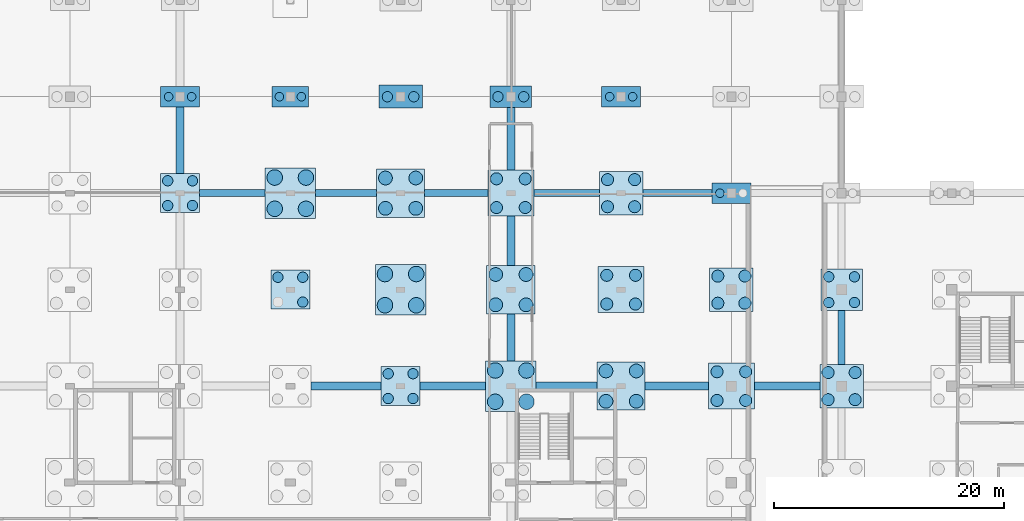
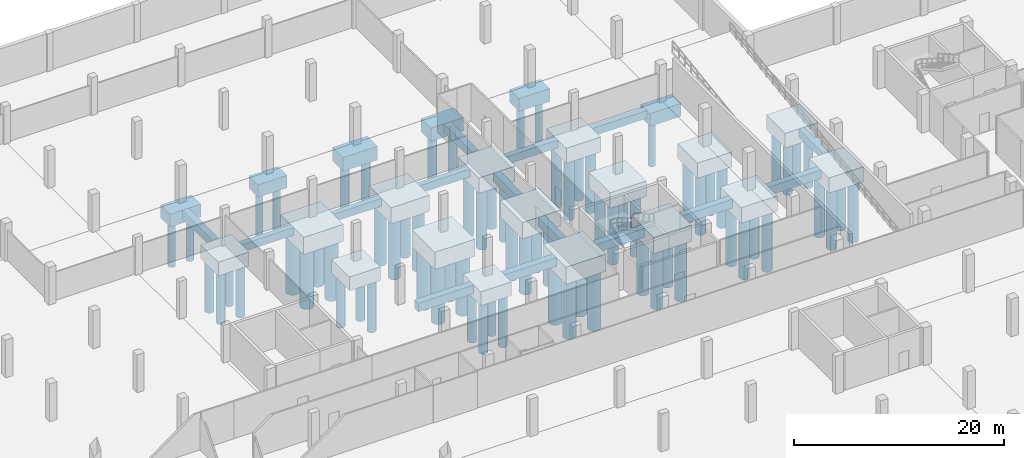
# One storey, part 7 of 26: 74 piles, 37 footings.
"""IFC4 building model written with IfcOpenShell, lengths in metres."""

from ifc_helpers import new_model, si_unit, direction, frame, origin, origin_2d, place, context, subcontext, project, spatial, rectangle, circle, extrude, material, layer, layer_set, material_profile, profile_set, type_object, element, save


model = new_model("IFC4")

# Units and contexts
model_context = context("Model", 3, precision=1e-05, world=origin(), true_north=direction((0.0, 1.0)))
body_context = subcontext(model_context, "Body", "Model", "MODEL_VIEW")
ifc_project = project(units=[si_unit("LENGTHUNIT", "METRE"), si_unit("AREAUNIT", "SQUARE_METRE"), si_unit("VOLUMEUNIT", "CUBIC_METRE"), si_unit("PLANEANGLEUNIT", "RADIAN"), si_unit("MASSUNIT", "GRAM", prefix="KILO")], contexts=[model_context])

# Site, building, storey
site_placement = place(None, origin())
site = spatial("IfcSite", under=ifc_project, at=site_placement, CompositionType="ELEMENT")
building_placement = place(site_placement, origin())
building = spatial("IfcBuilding", under=site, at=building_placement, Name="Lornevale Opera House", CompositionType="ELEMENT")
storey_placement = place(building_placement, frame((0.0, 0.0, -9.60009765625)))
storey = spatial("IfcBuildingStorey", under=building, at=storey_placement, Name="B2", CompositionType="ELEMENT", Elevation=-9.60009765625)

# Footings
ifc_material_1 = material(Name="Concrete 35 MPa (CSA A23.1 N)", Category="concrete")
ifc_layer_1 = layer(ifc_material_1, 1.60009765625)
ifc_layer_set_1 = layer_set([ifc_layer_1], Name="Concrete 35 MPa (CSA A23.1 N)")
footing_type_1 = type_object("IfcFootingType", Name="Four-Caisson Cap 3400x3400x1600", PredefinedType="PILE_CAP", material=ifc_layer_set_1)
for number, where, z_axis, x_axis, name in (
    (1, (67.199951171875, 84.0, -2.06005859375), (0.0, 0.0, 1.0), (1.0, 0.0, 0.0), "Four-Caisson Cap 3400x3400x1600 FT-108"),
    (2, (76.800048828125, 75.60009765625, -2.06005859375), (0.0, 0.0, 1.0), (1.0, 0.0, 0.0), "Four-Caisson Cap 3400x3400x1600 FT-122"),
    (3, (86.39990234375, 67.199951171875, -2.06005859375), (0.0, 0.0, 1.0), (1.0, 0.0, 0.0), "Four-Caisson Cap 3400x3400x1600 FT-136"),
):
    element("IfcFooting", number, at=place(storey_placement, frame(where, z_axis=z_axis, x_axis=x_axis)), inside=storey, type_object=footing_type_1, Name=name, PredefinedType="PILE_CAP", context=body_context, shape_type="SweptSolid", body=[
        extrude(rectangle(XDim=3.39990234375, YDim=3.39990234375, at=origin_2d()), origin(), (0.0, 0.0, 1.0), 1.60009765625),
    ])
ifc_layer_2 = layer(ifc_material_1, 1.699951171875)
ifc_layer_set_2 = layer_set([ifc_layer_2], Name="Concrete 35 MPa (CSA A23.1 N)")
footing_type_2 = type_object("IfcFootingType", Name="Four-Caisson Cap 3600x3600x1700", PredefinedType="PILE_CAP", material=ifc_layer_set_2)
footing_1_placement = place(storey_placement, frame((124.800048828125, 75.60009765625, -2.15966796875), z_axis=(0.0, 0.0, 1.0), x_axis=(1.0, 0.0, 0.0)))
element("IfcFooting", 4, at=footing_1_placement, inside=storey, type_object=footing_type_2, Name="Four-Caisson Cap 3600x3600x1700 FT-197", PredefinedType="PILE_CAP", context=body_context, shape_type="SweptSolid", body=[
    extrude(rectangle(XDim=3.60009765625, YDim=3.60009765625, at=origin_2d()), origin(), (0.0, 0.0, 1.0), 1.699951171875),
])
ifc_layer_3 = layer(ifc_material_1, 1.75)
ifc_layer_set_3 = layer_set([ifc_layer_3], Name="Concrete 35 MPa (CSA A23.1 N)")
footing_type_3 = type_object("IfcFootingType", Name="Four-Caisson Cap 3800x3800x1750", PredefinedType="PILE_CAP", material=ifc_layer_set_3)
for number, where, z_axis, x_axis, name in (
    (5, (105.60009765625, 84.0, -2.2099609375), (0.0, 0.0, 1.0), (1.0, 0.0, 0.0), "Four-Caisson Cap 3800x3800x1750 FT-168"),
    (6, (115.199951171875, 75.60009765625, -2.2099609375), (0.0, 0.0, 1.0), (1.0, 0.0, 0.0), "Four-Caisson Cap 3800x3800x1750 FT-182"),
    (7, (124.800048828125, 67.199951171875, -2.2099609375), (0.0, 0.0, 1.0), (1.0, 0.0, 0.0), "Four-Caisson Cap 3800x3800x1750 FT-196"),
):
    element("IfcFooting", number, at=place(storey_placement, frame(where, z_axis=z_axis, x_axis=x_axis)), inside=storey, type_object=footing_type_3, Name=name, PredefinedType="PILE_CAP", context=body_context, shape_type="SweptSolid", body=[
        extrude(rectangle(XDim=3.800048828125, YDim=3.800048828125, at=origin_2d()), origin(), (0.0, 0.0, 1.0), 1.75),
    ])
ifc_layer_4 = layer(ifc_material_1, 1.800048828125)
ifc_layer_set_4 = layer_set([ifc_layer_4], Name="Concrete 35 MPa (CSA A23.1 N)")
footing_type_4 = type_object("IfcFootingType", Name="Four-Caisson Cap 4000x4000x1800", PredefinedType="PILE_CAP", material=ifc_layer_set_4)
for number, where, z_axis, x_axis, name in (
    (8, (96.0, 84.0, -2.259765625), (0.0, 0.0, 1.0), (1.0, 0.0, 0.0), "Four-Caisson Cap 4000x4000x1800 FT-153"),
    (9, (105.60009765625, 75.60009765625, -2.259765625), (0.0, 0.0, 1.0), (1.0, 0.0, 0.0), "Four-Caisson Cap 4000x4000x1800 FT-167"),
    (10, (115.199951171875, 67.199951171875, -2.259765625), (0.0, 0.0, 1.0), (1.0, 0.0, 0.0), "Four-Caisson Cap 4000x4000x1800 FT-181"),
):
    element("IfcFooting", number, at=place(storey_placement, frame(where, z_axis=z_axis, x_axis=x_axis)), inside=storey, type_object=footing_type_4, Name=name, PredefinedType="PILE_CAP", context=body_context, shape_type="SweptSolid", body=[
        extrude(rectangle(XDim=4.0, YDim=4.0, at=origin_2d()), origin(), (0.0, 0.0, 1.0), 1.800048828125),
    ])
ifc_layer_5 = layer(ifc_material_1, 1.89990234375)
ifc_layer_set_5 = layer_set([ifc_layer_5], Name="Concrete 35 MPa (CSA A23.1 N)")
footing_type_5 = type_object("IfcFootingType", Name="Four-Caisson Cap 4200x4200x1900", PredefinedType="PILE_CAP", material=ifc_layer_set_5)
for number, where, z_axis, x_axis, name in (
    (11, (86.39990234375, 84.0, -2.35986328125), (0.0, 0.0, 1.0), (1.0, 0.0, 0.0), "Four-Caisson Cap 4200x4200x1900 FT-138"),
    (12, (96.0, 75.60009765625, -2.35986328125), (0.0, 0.0, 1.0), (1.0, 0.0, 0.0), "Four-Caisson Cap 4200x4200x1900 FT-152"),
    (13, (105.60009765625, 67.199951171875, -2.35986328125), (0.0, 0.0, 1.0), (1.0, 0.0, 0.0), "Four-Caisson Cap 4200x4200x1900 FT-166"),
):
    element("IfcFooting", number, at=place(storey_placement, frame(where, z_axis=z_axis, x_axis=x_axis)), inside=storey, type_object=footing_type_5, Name=name, PredefinedType="PILE_CAP", context=body_context, shape_type="SweptSolid", body=[
        extrude(rectangle(XDim=4.199951171875, YDim=4.199951171875, at=origin_2d()), origin(), (0.0, 0.0, 1.0), 1.89990234375),
    ])
ifc_layer_6 = layer(ifc_material_1, 2.0)
ifc_layer_set_6 = layer_set([ifc_layer_6], Name="Concrete 35 MPa (CSA A23.1 N)")
footing_type_6 = type_object("IfcFootingType", Name="Four-Caisson Cap 4400x4400x2000", PredefinedType="PILE_CAP", material=ifc_layer_set_6)
for number, where, z_axis, x_axis, name in (
    (14, (76.800048828125, 84.0, -2.4599609375), (0.0, 0.0, 1.0), (1.0, 0.0, 0.0), "Four-Caisson Cap 4400x4400x2000 FT-123"),
    (15, (86.39990234375, 75.60009765625, -2.4599609375), (0.0, 0.0, 1.0), (1.0, 0.0, 0.0), "Four-Caisson Cap 4400x4400x2000 FT-137"),
    (16, (96.0, 67.199951171875, -2.4599609375), (0.0, 0.0, 1.0), (1.0, 0.0, 0.0), "Four-Caisson Cap 4400x4400x2000 FT-151"),
):
    element("IfcFooting", number, at=place(storey_placement, frame(where, z_axis=z_axis, x_axis=x_axis)), inside=storey, type_object=footing_type_6, Name=name, PredefinedType="PILE_CAP", context=body_context, shape_type="SweptSolid", body=[
        extrude(rectangle(XDim=4.39990234375, YDim=4.39990234375, at=origin_2d()), origin(), (0.0, 0.0, 1.0), 2.0),
    ])
ifc_layer_7 = layer(ifc_material_1, 0.89990234375)
ifc_layer_set_7 = layer_set([ifc_layer_7], Name="Concrete 35 MPa (CSA A23.1 N)")
footing_type_7 = type_object("IfcFootingType", Name="Grade Tie Beam EW 600x900", PredefinedType="FOOTING_BEAM", material=ifc_layer_set_7)
footing_2_placement = place(storey_placement, frame((71.75, 84.0, -1.35986328125), z_axis=(0.0, 0.0, 1.0), x_axis=(1.0, 0.0, 0.0)))
element("IfcFooting", 17, at=footing_2_placement, inside=storey, type_object=footing_type_7, Name="Grade Tie Beam EW 600x900 FT-283", PredefinedType="FOOTING_BEAM", context=body_context, shape_type="SweptSolid", body=[
    extrude(rectangle(XDim=5.699951171875, YDim=0.60009765625, at=origin_2d()), origin(), (0.0, 0.0, 1.0), 0.89990234375),
])
footing_3_placement = place(storey_placement, frame((81.64990234375, 84.0, -1.35986328125), z_axis=(0.0, 0.0, 1.0), x_axis=(1.0, 0.0, 0.0)))
element("IfcFooting", 18, at=footing_3_placement, inside=storey, type_object=footing_type_7, Name="Grade Tie Beam EW 600x900 FT-288", PredefinedType="FOOTING_BEAM", context=body_context, shape_type="SweptSolid", body=[
    extrude(rectangle(XDim=5.300048828125, YDim=0.60009765625, at=origin_2d()), origin(), (0.0, 0.0, 1.0), 0.89990234375),
])
footing_4_placement = place(storey_placement, frame((91.25, 84.0, -1.35986328125), z_axis=(0.0, 0.0, 1.0), x_axis=(1.0, 0.0, 0.0)))
element("IfcFooting", 19, at=footing_4_placement, inside=storey, type_object=footing_type_7, Name="Grade Tie Beam EW 600x900 FT-293", PredefinedType="FOOTING_BEAM", context=body_context, shape_type="SweptSolid", body=[
    extrude(rectangle(XDim=5.5, YDim=0.60009765625, at=origin_2d()), origin(), (0.0, 0.0, 1.0), 0.89990234375),
])
footing_5_placement = place(storey_placement, frame((100.85009765625, 84.0, -1.35986328125), z_axis=(0.0, 0.0, 1.0), x_axis=(1.0, 0.0, 0.0)))
element("IfcFooting", 20, at=footing_5_placement, inside=storey, type_object=footing_type_7, Name="Grade Tie Beam EW 600x900 FT-298", PredefinedType="FOOTING_BEAM", context=body_context, shape_type="SweptSolid", body=[
    extrude(rectangle(XDim=5.699951171875, YDim=0.60009765625, at=origin_2d()), origin(), (0.0, 0.0, 1.0), 0.89990234375),
])
footing_6_placement = place(storey_placement, frame((110.5, 84.0, -1.35986328125), z_axis=(0.0, 0.0, 1.0), x_axis=(1.0, 0.0, 0.0)))
element("IfcFooting", 21, at=footing_6_placement, inside=storey, type_object=footing_type_7, Name="Grade Tie Beam EW 600x900 FT-303", PredefinedType="FOOTING_BEAM", context=body_context, shape_type="SweptSolid", body=[
    extrude(rectangle(XDim=6.0, YDim=0.60009765625, at=origin_2d()), origin(), (0.0, 0.0, 1.0), 0.89990234375),
])
ifc_layer_8 = layer(ifc_material_1, 1.0)
ifc_layer_set_8 = layer_set([ifc_layer_8], Name="Concrete 35 MPa (CSA A23.1 N)")
footing_type_8 = type_object("IfcFootingType", Name="Grade Tie Beam EW 700x1000", PredefinedType="FOOTING_BEAM", material=ifc_layer_set_8)
footing_7_placement = place(storey_placement, frame((81.64990234375, 67.199951171875, -1.4599609375), z_axis=(0.0, 0.0, 1.0), x_axis=(1.0, 0.0, 0.0)))
element("IfcFooting", 22, at=footing_7_placement, inside=storey, type_object=footing_type_8, Name="Grade Tie Beam EW 700x1000 FT-287", PredefinedType="FOOTING_BEAM", context=body_context, shape_type="SweptSolid", body=[
    extrude(rectangle(XDim=6.10009765625, YDim=0.699951171875, at=origin_2d()), origin(), (0.0, 0.0, 1.0), 1.0),
])
footing_8_placement = place(storey_placement, frame((90.949951171875, 67.199951171875, -1.4599609375), z_axis=(0.0, 0.0, 1.0), x_axis=(1.0, 0.0, 0.0)))
element("IfcFooting", 23, at=footing_8_placement, inside=storey, type_object=footing_type_8, Name="Grade Tie Beam EW 700x1000 FT-292", PredefinedType="FOOTING_BEAM", context=body_context, shape_type="SweptSolid", body=[
    extrude(rectangle(XDim=5.699951171875, YDim=0.699951171875, at=origin_2d()), origin(), (0.0, 0.0, 1.0), 1.0),
])
footing_9_placement = place(storey_placement, frame((100.85009765625, 67.199951171875, -1.4599609375), z_axis=(0.0, 0.0, 1.0), x_axis=(1.0, 0.0, 0.0)))
element("IfcFooting", 24, at=footing_9_placement, inside=storey, type_object=footing_type_8, Name="Grade Tie Beam EW 700x1000 FT-297", PredefinedType="FOOTING_BEAM", context=body_context, shape_type="SweptSolid", body=[
    extrude(rectangle(XDim=5.300048828125, YDim=0.699951171875, at=origin_2d()), origin(), (0.0, 0.0, 1.0), 1.0),
])
footing_10_placement = place(storey_placement, frame((110.449951171875, 67.199951171875, -1.4599609375), z_axis=(0.0, 0.0, 1.0), x_axis=(1.0, 0.0, 0.0)))
element("IfcFooting", 25, at=footing_10_placement, inside=storey, type_object=footing_type_8, Name="Grade Tie Beam EW 700x1000 FT-302", PredefinedType="FOOTING_BEAM", context=body_context, shape_type="SweptSolid", body=[
    extrude(rectangle(XDim=5.5, YDim=0.699951171875, at=origin_2d()), origin(), (0.0, 0.0, 1.0), 1.0),
])
footing_11_placement = place(storey_placement, frame((120.050048828125, 67.199951171875, -1.4599609375), z_axis=(0.0, 0.0, 1.0), x_axis=(1.0, 0.0, 0.0)))
element("IfcFooting", 26, at=footing_11_placement, inside=storey, type_object=footing_type_8, Name="Grade Tie Beam EW 700x1000 FT-307", PredefinedType="FOOTING_BEAM", context=body_context, shape_type="SweptSolid", body=[
    extrude(rectangle(XDim=5.699951171875, YDim=0.699951171875, at=origin_2d()), origin(), (0.0, 0.0, 1.0), 1.0),
])
ifc_layer_9 = layer(ifc_material_1, 0.89990234375)
ifc_layer_set_9 = layer_set([ifc_layer_9], Name="Concrete 35 MPa (CSA A23.1 N)")
footing_type_9 = type_object("IfcFootingType", Name="Grade Tie Beam NS 600x900", PredefinedType="FOOTING_BEAM", material=ifc_layer_set_9)
footing_12_placement = place(storey_placement, frame((124.800048828125, 71.449951171875, -1.35986328125), z_axis=(0.0, 0.0, 1.0), x_axis=(1.0, 0.0, 0.0)))
element("IfcFooting", 27, at=footing_12_placement, inside=storey, type_object=footing_type_9, Name="Grade Tie Beam NS 600x900 FT-386", PredefinedType="FOOTING_BEAM", context=body_context, shape_type="SweptSolid", body=[
    extrude(rectangle(XDim=0.60009765625, YDim=4.699951171875, at=origin_2d()), origin(), (0.0, 0.0, 1.0), 0.89990234375),
])
ifc_layer_10 = layer(ifc_material_1, 1.0)
ifc_layer_set_10 = layer_set([ifc_layer_10], Name="Concrete 35 MPa (CSA A23.1 N)")
footing_type_10 = type_object("IfcFootingType", Name="Grade Tie Beam NS 700x1000", PredefinedType="FOOTING_BEAM", material=ifc_layer_set_10)
footing_13_placement = place(storey_placement, frame((67.199951171875, 88.60009765625, -1.4599609375), z_axis=(0.0, 0.0, 1.0), x_axis=(1.0, 0.0, 0.0)))
element("IfcFooting", 28, at=footing_13_placement, inside=storey, type_object=footing_type_10, Name="Grade Tie Beam NS 700x1000 FT-360", PredefinedType="FOOTING_BEAM", context=body_context, shape_type="SweptSolid", body=[
    extrude(rectangle(XDim=0.699951171875, YDim=5.800048828125, at=origin_2d()), origin(), (0.0, 0.0, 1.0), 1.0),
])
footing_14_placement = place(storey_placement, frame((96.0, 71.449951171875, -1.4599609375), z_axis=(0.0, 0.0, 1.0), x_axis=(1.0, 0.0, 0.0)))
element("IfcFooting", 29, at=footing_14_placement, inside=storey, type_object=footing_type_10, Name="Grade Tie Beam NS 700x1000 FT-372", PredefinedType="FOOTING_BEAM", context=body_context, shape_type="SweptSolid", body=[
    extrude(rectangle(XDim=0.699951171875, YDim=4.10009765625, at=origin_2d()), origin(), (0.0, 0.0, 1.0), 1.0),
])
footing_15_placement = place(storey_placement, frame((96.0, 79.85009765625, -1.4599609375), z_axis=(0.0, 0.0, 1.0), x_axis=(1.0, 0.0, 0.0)))
element("IfcFooting", 30, at=footing_15_placement, inside=storey, type_object=footing_type_10, Name="Grade Tie Beam NS 700x1000 FT-373", PredefinedType="FOOTING_BEAM", context=body_context, shape_type="SweptSolid", body=[
    extrude(rectangle(XDim=0.699951171875, YDim=4.300048828125, at=origin_2d()), origin(), (0.0, 0.0, 1.0), 1.0),
])
footing_16_placement = place(storey_placement, frame((96.0, 88.72509765625, -1.4599609375), z_axis=(0.0, 0.0, 1.0), x_axis=(1.0, 0.0, 0.0)))
element("IfcFooting", 31, at=footing_16_placement, inside=storey, type_object=footing_type_10, Name="Grade Tie Beam NS 700x1000 FT-374", PredefinedType="FOOTING_BEAM", context=body_context, shape_type="SweptSolid", body=[
    extrude(rectangle(XDim=0.699951171875, YDim=5.449951171875, at=origin_2d()), origin(), (0.0, 0.0, 1.0), 1.0),
])

# Piles
ifc_material_2 = material(Name="Concrete 40 MPa (CSA A23.1 C-1)", Category="concrete")
ifc_material_profile_1 = material_profile(ifc_material_2, circle(Radius=0.52490234375, at=origin_2d()), Name="CAIS1050")
ifc_profile_set_1 = profile_set([ifc_material_profile_1], Name="Concrete 40 MPa (CSA A23.1 C-1)")
pile_type_1 = type_object("IfcPileType", Name="Rock-Socketed Caisson D1050", PredefinedType="BORED", material=ifc_profile_set_1)
for number, where, z_axis, x_axis, name in (
    (32, (94.75, 82.75, -2.139892578125), (0.0, 0.0, -1.0), (1.0, 0.0, 0.0), "Rock-Socketed Caisson D1050 0319"),
    (33, (97.25, 82.75, -2.139892578125), (0.0, 0.0, -1.0), (1.0, 0.0, 0.0), "Rock-Socketed Caisson D1050 0320"),
    (34, (94.75, 85.25, -2.139892578125), (0.0, 0.0, -1.0), (1.0, 0.0, 0.0), "Rock-Socketed Caisson D1050 0321"),
    (35, (97.25, 85.25, -2.139892578125), (0.0, 0.0, -1.0), (1.0, 0.0, 0.0), "Rock-Socketed Caisson D1050 0322"),
    (36, (104.35009765625, 74.35009765625, -2.139892578125), (0.0, 0.0, -1.0), (1.0, 0.0, 0.0), "Rock-Socketed Caisson D1050 0355"),
    (37, (106.85009765625, 74.35009765625, -2.139892578125), (0.0, 0.0, -1.0), (1.0, 0.0, 0.0), "Rock-Socketed Caisson D1050 0356"),
    (38, (104.35009765625, 76.85009765625, -2.139892578125), (0.0, 0.0, -1.0), (1.0, 0.0, 0.0), "Rock-Socketed Caisson D1050 0357"),
    (39, (106.85009765625, 76.85009765625, -2.139892578125), (0.0, 0.0, -1.0), (1.0, 0.0, 0.0), "Rock-Socketed Caisson D1050 0358"),
):
    element("IfcPile", number, at=place(storey_placement, frame(where, z_axis=z_axis, x_axis=x_axis)), inside=storey, type_object=pile_type_1, Name=name, PredefinedType="BORED", context=body_context, shape_type="SweptSolid", body=[
        extrude(circle(Radius=0.52490234375, at=origin_2d()), origin(), (0.0, 0.0, 1.0), 7.06005859375),
    ])
for number, where, z_axis, x_axis, name in (
    (40, (104.419921875, 82.820068359375, -2.08984375), (0.0, 0.0, -1.0), (1.0, 0.0, 0.0), "Rock-Socketed Caisson D1050 0359"),
    (41, (106.780029296875, 82.820068359375, -2.08984375), (0.0, 0.0, -1.0), (1.0, 0.0, 0.0), "Rock-Socketed Caisson D1050 0360"),
    (42, (104.419921875, 85.179931640625, -2.08984375), (0.0, 0.0, -1.0), (1.0, 0.0, 0.0), "Rock-Socketed Caisson D1050 0361"),
    (43, (106.780029296875, 85.179931640625, -2.08984375), (0.0, 0.0, -1.0), (1.0, 0.0, 0.0), "Rock-Socketed Caisson D1050 0362"),
):
    element("IfcPile", number, at=place(storey_placement, frame(where, z_axis=z_axis, x_axis=x_axis)), inside=storey, type_object=pile_type_1, Name=name, PredefinedType="BORED", context=body_context, shape_type="SweptSolid", body=[
        extrude(circle(Radius=0.52490234375, at=origin_2d()), origin(), (0.0, 0.0, 1.0), 7.110107421875),
    ])
for number, where, z_axis, x_axis, name in (
    (44, (113.949951171875, 65.949951171875, -2.139892578125), (0.0, 0.0, -1.0), (1.0, 0.0, 0.0), "Rock-Socketed Caisson D1050 0391"),
    (45, (116.449951171875, 65.949951171875, -2.139892578125), (0.0, 0.0, -1.0), (1.0, 0.0, 0.0), "Rock-Socketed Caisson D1050 0392"),
    (46, (113.949951171875, 68.449951171875, -2.139892578125), (0.0, 0.0, -1.0), (1.0, 0.0, 0.0), "Rock-Socketed Caisson D1050 0393"),
    (47, (116.449951171875, 68.449951171875, -2.139892578125), (0.0, 0.0, -1.0), (1.0, 0.0, 0.0), "Rock-Socketed Caisson D1050 0394"),
):
    element("IfcPile", number, at=place(storey_placement, frame(where, z_axis=z_axis, x_axis=x_axis)), inside=storey, type_object=pile_type_1, Name=name, PredefinedType="BORED", context=body_context, shape_type="SweptSolid", body=[
        extrude(circle(Radius=0.52490234375, at=origin_2d()), origin(), (0.0, 0.0, 1.0), 7.06005859375),
    ])
for number, where, z_axis, x_axis, name in (
    (48, (114.02001953125, 74.419921875, -2.08984375), (0.0, 0.0, -1.0), (1.0, 0.0, 0.0), "Rock-Socketed Caisson D1050 0395"),
    (49, (116.3798828125, 74.419921875, -2.08984375), (0.0, 0.0, -1.0), (1.0, 0.0, 0.0), "Rock-Socketed Caisson D1050 0396"),
    (50, (114.02001953125, 76.780029296875, -2.08984375), (0.0, 0.0, -1.0), (1.0, 0.0, 0.0), "Rock-Socketed Caisson D1050 0397"),
    (51, (116.3798828125, 76.780029296875, -2.08984375), (0.0, 0.0, -1.0), (1.0, 0.0, 0.0), "Rock-Socketed Caisson D1050 0398"),
    (52, (123.6201171875, 66.02001953125, -2.08984375), (0.0, 0.0, -1.0), (1.0, 0.0, 0.0), "Rock-Socketed Caisson D1050 0430"),
    (53, (125.97998046875, 66.02001953125, -2.08984375), (0.0, 0.0, -1.0), (1.0, 0.0, 0.0), "Rock-Socketed Caisson D1050 0431"),
    (54, (123.6201171875, 68.3798828125, -2.08984375), (0.0, 0.0, -1.0), (1.0, 0.0, 0.0), "Rock-Socketed Caisson D1050 0432"),
    (55, (125.97998046875, 68.3798828125, -2.08984375), (0.0, 0.0, -1.0), (1.0, 0.0, 0.0), "Rock-Socketed Caisson D1050 0433"),
):
    element("IfcPile", number, at=place(storey_placement, frame(where, z_axis=z_axis, x_axis=x_axis)), inside=storey, type_object=pile_type_1, Name=name, PredefinedType="BORED", context=body_context, shape_type="SweptSolid", body=[
        extrude(circle(Radius=0.52490234375, at=origin_2d()), origin(), (0.0, 0.0, 1.0), 7.110107421875),
    ])
ifc_material_profile_2 = material_profile(ifc_material_2, circle(Radius=0.60009765625, at=origin_2d()), Name="CAIS1200")
ifc_profile_set_2 = profile_set([ifc_material_profile_2], Name="Concrete 40 MPa (CSA A23.1 C-1)")
pile_type_2 = type_object("IfcPileType", Name="Rock-Socketed Caisson D1200", PredefinedType="BORED", material=ifc_profile_set_2)
for number, where, z_axis, x_axis, name in (
    (56, (85.080078125, 82.679931640625, -2.239990234375), (0.0, 0.0, -1.0), (1.0, 0.0, 0.0), "Rock-Socketed Caisson D1200 0279"),
    (57, (87.719970703125, 82.679931640625, -2.239990234375), (0.0, 0.0, -1.0), (1.0, 0.0, 0.0), "Rock-Socketed Caisson D1200 0280"),
    (58, (85.080078125, 85.320068359375, -2.239990234375), (0.0, 0.0, -1.0), (1.0, 0.0, 0.0), "Rock-Socketed Caisson D1200 0281"),
    (59, (87.719970703125, 85.320068359375, -2.239990234375), (0.0, 0.0, -1.0), (1.0, 0.0, 0.0), "Rock-Socketed Caisson D1200 0282"),
    (60, (94.679931640625, 74.280029296875, -2.239990234375), (0.0, 0.0, -1.0), (1.0, 0.0, 0.0), "Rock-Socketed Caisson D1200 0315"),
    (61, (97.320068359375, 74.280029296875, -2.239990234375), (0.0, 0.0, -1.0), (1.0, 0.0, 0.0), "Rock-Socketed Caisson D1200 0316"),
    (62, (94.679931640625, 76.919921875, -2.239990234375), (0.0, 0.0, -1.0), (1.0, 0.0, 0.0), "Rock-Socketed Caisson D1200 0317"),
    (63, (97.320068359375, 76.919921875, -2.239990234375), (0.0, 0.0, -1.0), (1.0, 0.0, 0.0), "Rock-Socketed Caisson D1200 0318"),
    (64, (104.280029296875, 65.8798828125, -2.239990234375), (0.0, 0.0, -1.0), (1.0, 0.0, 0.0), "Rock-Socketed Caisson D1200 0351"),
    (65, (106.919921875, 65.8798828125, -2.239990234375), (0.0, 0.0, -1.0), (1.0, 0.0, 0.0), "Rock-Socketed Caisson D1200 0352"),
    (66, (104.280029296875, 68.52001953125, -2.239990234375), (0.0, 0.0, -1.0), (1.0, 0.0, 0.0), "Rock-Socketed Caisson D1200 0353"),
    (67, (106.919921875, 68.52001953125, -2.239990234375), (0.0, 0.0, -1.0), (1.0, 0.0, 0.0), "Rock-Socketed Caisson D1200 0354"),
):
    element("IfcPile", number, at=place(storey_placement, frame(where, z_axis=z_axis, x_axis=x_axis)), inside=storey, type_object=pile_type_2, Name=name, PredefinedType="BORED", context=body_context, shape_type="SweptSolid", body=[
        extrude(circle(Radius=0.60009765625, at=origin_2d()), origin(), (0.0, 0.0, 1.0), 6.9599609375),
    ])
ifc_material_profile_3 = material_profile(ifc_material_2, circle(Radius=0.675048828125, at=origin_2d()), Name="CAIS1350")
ifc_profile_set_3 = profile_set([ifc_material_profile_3], Name="Concrete 40 MPa (CSA A23.1 C-1)")
pile_type_3 = type_object("IfcPileType", Name="Rock-Socketed Caisson D1350", PredefinedType="BORED", material=ifc_profile_set_3)
for number, where, z_axis, x_axis, name in (
    (68, (75.43994140625, 82.639892578125, -2.33984375), (0.0, 0.0, -1.0), (1.0, 0.0, 0.0), "Rock-Socketed Caisson D1350 0241"),
    (69, (78.159912109375, 82.639892578125, -2.33984375), (0.0, 0.0, -1.0), (1.0, 0.0, 0.0), "Rock-Socketed Caisson D1350 0242"),
    (70, (75.43994140625, 85.360107421875, -2.33984375), (0.0, 0.0, -1.0), (1.0, 0.0, 0.0), "Rock-Socketed Caisson D1350 0243"),
    (71, (78.159912109375, 85.360107421875, -2.33984375), (0.0, 0.0, -1.0), (1.0, 0.0, 0.0), "Rock-Socketed Caisson D1350 0244"),
    (72, (85.0400390625, 74.239990234375, -2.33984375), (0.0, 0.0, -1.0), (1.0, 0.0, 0.0), "Rock-Socketed Caisson D1350 0275"),
    (73, (87.760009765625, 74.239990234375, -2.33984375), (0.0, 0.0, -1.0), (1.0, 0.0, 0.0), "Rock-Socketed Caisson D1350 0276"),
    (74, (85.0400390625, 76.9599609375, -2.33984375), (0.0, 0.0, -1.0), (1.0, 0.0, 0.0), "Rock-Socketed Caisson D1350 0277"),
    (75, (87.760009765625, 76.9599609375, -2.33984375), (0.0, 0.0, -1.0), (1.0, 0.0, 0.0), "Rock-Socketed Caisson D1350 0278"),
    (76, (94.639892578125, 65.840087890625, -2.33984375), (0.0, 0.0, -1.0), (1.0, 0.0, 0.0), "Rock-Socketed Caisson D1350 0311"),
    (77, (97.360107421875, 65.840087890625, -2.33984375), (0.0, 0.0, -1.0), (1.0, 0.0, 0.0), "Rock-Socketed Caisson D1350 0312"),
    (78, (94.639892578125, 68.56005859375, -2.33984375), (0.0, 0.0, -1.0), (1.0, 0.0, 0.0), "Rock-Socketed Caisson D1350 0313"),
    (79, (97.360107421875, 68.56005859375, -2.33984375), (0.0, 0.0, -1.0), (1.0, 0.0, 0.0), "Rock-Socketed Caisson D1350 0314"),
):
    element("IfcPile", number, at=place(storey_placement, frame(where, z_axis=z_axis, x_axis=x_axis)), inside=storey, type_object=pile_type_3, Name=name, PredefinedType="BORED", context=body_context, shape_type="SweptSolid", body=[
        extrude(circle(Radius=0.675048828125, at=origin_2d()), origin(), (0.0, 0.0, 1.0), 6.860107421875),
    ])
ifc_material_profile_4 = material_profile(ifc_material_2, circle(Radius=0.375, at=origin_2d()), Name="CAIS750")
ifc_profile_set_4 = profile_set([ifc_material_profile_4], Name="Concrete 40 MPa (CSA A23.1 C-1)")
pile_type_4 = type_object("IfcPileType", Name="Rock-Socketed Caisson D750", PredefinedType="BORED", material=ifc_profile_set_4)
for number, where, z_axis, x_axis, name in (
    (80, (66.199951171875, 92.39990234375, -1.83984375), (0.0, 0.0, -1.0), (1.0, 0.0, 0.0), "Rock-Socketed Caisson D750 0207"),
    (81, (68.199951171875, 92.39990234375, -1.83984375), (0.0, 0.0, -1.0), (1.0, 0.0, 0.0), "Rock-Socketed Caisson D750 0208"),
):
    element("IfcPile", number, at=place(storey_placement, frame(where, z_axis=z_axis, x_axis=x_axis)), inside=storey, type_object=pile_type_4, Name=name, PredefinedType="BORED", context=body_context, shape_type="SweptSolid", body=[
        extrude(circle(Radius=0.375, at=origin_2d()), origin(), (0.0, 0.0, 1.0), 5.360107421875),
    ])
for number, where, z_axis, x_axis, name in (
    (82, (75.840087890625, 92.39990234375, -1.789794921875), (0.0, 0.0, -1.0), (1.0, 0.0, 0.0), "Rock-Socketed Caisson D750 0245"),
    (83, (77.760009765625, 92.39990234375, -1.789794921875), (0.0, 0.0, -1.0), (1.0, 0.0, 0.0), "Rock-Socketed Caisson D750 0246"),
):
    element("IfcPile", number, at=place(storey_placement, frame(where, z_axis=z_axis, x_axis=x_axis)), inside=storey, type_object=pile_type_4, Name=name, PredefinedType="BORED", context=body_context, shape_type="SweptSolid", body=[
        extrude(circle(Radius=0.375, at=origin_2d()), origin(), (0.0, 0.0, 1.0), 5.409912109375),
    ])
for number, where, z_axis, x_axis, name in (
    (84, (104.60009765625, 92.39990234375, -1.83984375), (0.0, 0.0, -1.0), (1.0, 0.0, 0.0), "Rock-Socketed Caisson D750 0363"),
    (85, (106.60009765625, 92.39990234375, -1.83984375), (0.0, 0.0, -1.0), (1.0, 0.0, 0.0), "Rock-Socketed Caisson D750 0364"),
    (86, (114.199951171875, 84.0, -1.83984375), (0.0, 0.0, -1.0), (1.0, 0.0, 0.0), "Rock-Socketed Caisson D750 0399"),
):
    element("IfcPile", number, at=place(storey_placement, frame(where, z_axis=z_axis, x_axis=x_axis)), inside=storey, type_object=pile_type_4, Name=name, PredefinedType="BORED", context=body_context, shape_type="SweptSolid", body=[
        extrude(circle(Radius=0.375, at=origin_2d()), origin(), (0.0, 0.0, 1.0), 5.360107421875),
    ])
ifc_material_profile_5 = material_profile(ifc_material_2, circle(Radius=0.449951171875, at=origin_2d()), Name="CAIS900")
ifc_profile_set_5 = profile_set([ifc_material_profile_5], Name="Concrete 40 MPa (CSA A23.1 C-1)")
pile_type_5 = type_object("IfcPileType", Name="Rock-Socketed Caisson D900", PredefinedType="BORED", material=ifc_profile_set_5)
for number, where, z_axis, x_axis, name in (
    (87, (66.1201171875, 82.919921875, -1.93994140625), (0.0, 0.0, -1.0), (1.0, 0.0, 0.0), "Rock-Socketed Caisson D900 0203"),
    (88, (68.280029296875, 82.919921875, -1.93994140625), (0.0, 0.0, -1.0), (1.0, 0.0, 0.0), "Rock-Socketed Caisson D900 0204"),
    (89, (66.1201171875, 85.080078125, -1.93994140625), (0.0, 0.0, -1.0), (1.0, 0.0, 0.0), "Rock-Socketed Caisson D900 0205"),
    (90, (68.280029296875, 85.080078125, -1.93994140625), (0.0, 0.0, -1.0), (1.0, 0.0, 0.0), "Rock-Socketed Caisson D900 0206"),
    (91, (77.8798828125, 74.52001953125, -1.93994140625), (0.0, 0.0, -1.0), (1.0, 0.0, 0.0), "Rock-Socketed Caisson D900 0238"),
    (92, (75.719970703125, 76.679931640625, -1.93994140625), (0.0, 0.0, -1.0), (1.0, 0.0, 0.0), "Rock-Socketed Caisson D900 0239"),
    (93, (77.8798828125, 76.679931640625, -1.93994140625), (0.0, 0.0, -1.0), (1.0, 0.0, 0.0), "Rock-Socketed Caisson D900 0240"),
    (94, (85.320068359375, 66.1201171875, -1.93994140625), (0.0, 0.0, -1.0), (1.0, 0.0, 0.0), "Rock-Socketed Caisson D900 0271"),
    (95, (87.47998046875, 66.1201171875, -1.93994140625), (0.0, 0.0, -1.0), (1.0, 0.0, 0.0), "Rock-Socketed Caisson D900 0272"),
    (96, (85.320068359375, 68.280029296875, -1.93994140625), (0.0, 0.0, -1.0), (1.0, 0.0, 0.0), "Rock-Socketed Caisson D900 0273"),
    (97, (87.47998046875, 68.280029296875, -1.93994140625), (0.0, 0.0, -1.0), (1.0, 0.0, 0.0), "Rock-Socketed Caisson D900 0274"),
    (98, (85.25, 92.39990234375, -1.93994140625), (0.0, 0.0, -1.0), (1.0, 0.0, 0.0), "Rock-Socketed Caisson D900 0283"),
    (99, (87.550048828125, 92.39990234375, -1.93994140625), (0.0, 0.0, -1.0), (1.0, 0.0, 0.0), "Rock-Socketed Caisson D900 0284"),
):
    element("IfcPile", number, at=place(storey_placement, frame(where, z_axis=z_axis, x_axis=x_axis)), inside=storey, type_object=pile_type_5, Name=name, PredefinedType="BORED", context=body_context, shape_type="SweptSolid", body=[
        extrude(circle(Radius=0.449951171875, at=origin_2d()), origin(), (0.0, 0.0, 1.0), 6.06005859375),
    ])
for number, where, z_axis, x_axis, name in (
    (100, (94.8798828125, 92.39990234375, -1.889892578125), (0.0, 0.0, -1.0), (1.0, 0.0, 0.0), "Rock-Socketed Caisson D900 0323"),
    (101, (97.1201171875, 92.39990234375, -1.889892578125), (0.0, 0.0, -1.0), (1.0, 0.0, 0.0), "Rock-Socketed Caisson D900 0324"),
):
    element("IfcPile", number, at=place(storey_placement, frame(where, z_axis=z_axis, x_axis=x_axis)), inside=storey, type_object=pile_type_5, Name=name, PredefinedType="BORED", context=body_context, shape_type="SweptSolid", body=[
        extrude(circle(Radius=0.449951171875, at=origin_2d()), origin(), (0.0, 0.0, 1.0), 6.110107421875),
    ])
for number, where, z_axis, x_axis, name in (
    (102, (123.679931640625, 74.47998046875, -2.039794921875), (0.0, 0.0, -1.0), (1.0, 0.0, 0.0), "Rock-Socketed Caisson D900 0434"),
    (103, (125.919921875, 74.47998046875, -2.039794921875), (0.0, 0.0, -1.0), (1.0, 0.0, 0.0), "Rock-Socketed Caisson D900 0435"),
    (104, (123.679931640625, 76.719970703125, -2.039794921875), (0.0, 0.0, -1.0), (1.0, 0.0, 0.0), "Rock-Socketed Caisson D900 0436"),
    (105, (125.919921875, 76.719970703125, -2.039794921875), (0.0, 0.0, -1.0), (1.0, 0.0, 0.0), "Rock-Socketed Caisson D900 0437"),
):
    element("IfcPile", number, at=place(storey_placement, frame(where, z_axis=z_axis, x_axis=x_axis)), inside=storey, type_object=pile_type_5, Name=name, PredefinedType="BORED", context=body_context, shape_type="SweptSolid", body=[
        extrude(circle(Radius=0.449951171875, at=origin_2d()), origin(), (0.0, 0.0, 1.0), 5.9599609375),
    ])

# Footings
ifc_layer_11 = layer(ifc_material_1, 1.449951171875)
ifc_layer_set_11 = layer_set([ifc_layer_11], Name="Concrete 35 MPa (CSA A23.1 N)")
footing_type_11 = type_object("IfcFootingType", Name="Two-Caisson Cap 3200x1750x1450", PredefinedType="PILE_CAP", material=ifc_layer_set_11)
footing_17_placement = place(storey_placement, frame((76.800048828125, 92.39990234375, -1.90966796875), z_axis=(0.0, 0.0, 1.0), x_axis=(1.0, 0.0, 0.0)))
element("IfcFooting", 106, at=footing_17_placement, inside=storey, type_object=footing_type_11, Name="Two-Caisson Cap 3200x1750x1450 FT-124", PredefinedType="PILE_CAP", context=body_context, shape_type="SweptSolid", body=[
    extrude(rectangle(XDim=3.199951171875, YDim=1.75, at=origin_2d()), origin(), (0.0, 0.0, 1.0), 1.449951171875),
])
ifc_layer_12 = layer(ifc_material_1, 1.5)
ifc_layer_set_12 = layer_set([ifc_layer_12], Name="Concrete 35 MPa (CSA A23.1 N)")
footing_type_12 = type_object("IfcFootingType", Name="Two-Caisson Cap 3400x1800x1500", PredefinedType="PILE_CAP", material=ifc_layer_set_12)
for number, where, z_axis, x_axis, name in (
    (107, (67.199951171875, 92.39990234375, -1.9599609375), (0.0, 0.0, 1.0), (1.0, 0.0, 0.0), "Two-Caisson Cap 3400x1800x1500 FT-109"),
    (108, (105.60009765625, 92.39990234375, -1.9599609375), (0.0, 0.0, 1.0), (1.0, 0.0, 0.0), "Two-Caisson Cap 3400x1800x1500 FT-169"),
    (109, (115.199951171875, 84.0, -1.9599609375), (0.0, 0.0, 1.0), (1.0, 0.0, 0.0), "Two-Caisson Cap 3400x1800x1500 FT-183"),
):
    element("IfcFooting", number, at=place(storey_placement, frame(where, z_axis=z_axis, x_axis=x_axis)), inside=storey, type_object=footing_type_12, Name=name, PredefinedType="PILE_CAP", context=body_context, shape_type="SweptSolid", body=[
        extrude(rectangle(XDim=3.39990234375, YDim=1.800048828125, at=origin_2d()), origin(), (0.0, 0.0, 1.0), 1.5),
    ])
ifc_layer_13 = layer(ifc_material_1, 1.550048828125)
ifc_layer_set_13 = layer_set([ifc_layer_13], Name="Concrete 35 MPa (CSA A23.1 N)")
footing_type_13 = type_object("IfcFootingType", Name="Two-Caisson Cap 3600x1900x1550", PredefinedType="PILE_CAP", material=ifc_layer_set_13)
footing_18_placement = place(storey_placement, frame((96.0, 92.39990234375, -2.009765625), z_axis=(0.0, 0.0, 1.0), x_axis=(1.0, 0.0, 0.0)))
element("IfcFooting", 110, at=footing_18_placement, inside=storey, type_object=footing_type_13, Name="Two-Caisson Cap 3600x1900x1550 FT-154", PredefinedType="PILE_CAP", context=body_context, shape_type="SweptSolid", body=[
    extrude(rectangle(XDim=3.60009765625, YDim=1.89990234375, at=origin_2d()), origin(), (0.0, 0.0, 1.0), 1.550048828125),
])
ifc_layer_14 = layer(ifc_material_1, 1.60009765625)
ifc_layer_set_14 = layer_set([ifc_layer_14], Name="Concrete 35 MPa (CSA A23.1 N)")
footing_type_14 = type_object("IfcFootingType", Name="Two-Caisson Cap 3800x2000x1600", PredefinedType="PILE_CAP", material=ifc_layer_set_14)
footing_19_placement = place(storey_placement, frame((86.39990234375, 92.39990234375, -2.06005859375), z_axis=(0.0, 0.0, 1.0), x_axis=(1.0, 0.0, 0.0)))
element("IfcFooting", 111, at=footing_19_placement, inside=storey, type_object=footing_type_14, Name="Two-Caisson Cap 3800x2000x1600 FT-139", PredefinedType="PILE_CAP", context=body_context, shape_type="SweptSolid", body=[
    extrude(rectangle(XDim=3.800048828125, YDim=2.0, at=origin_2d()), origin(), (0.0, 0.0, 1.0), 1.60009765625),
])

save(model, "model.ifc")
